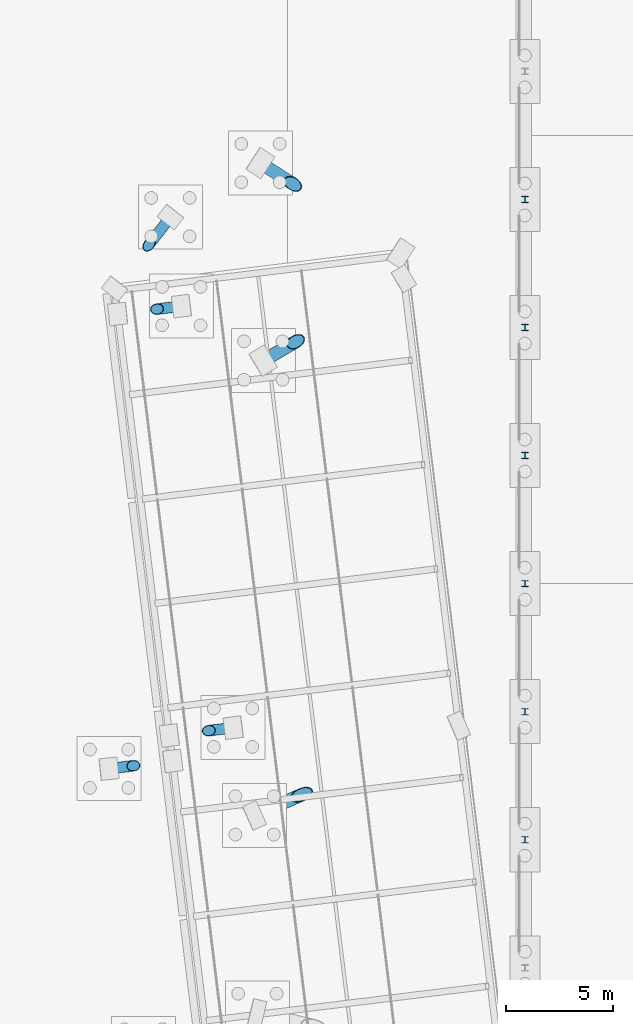
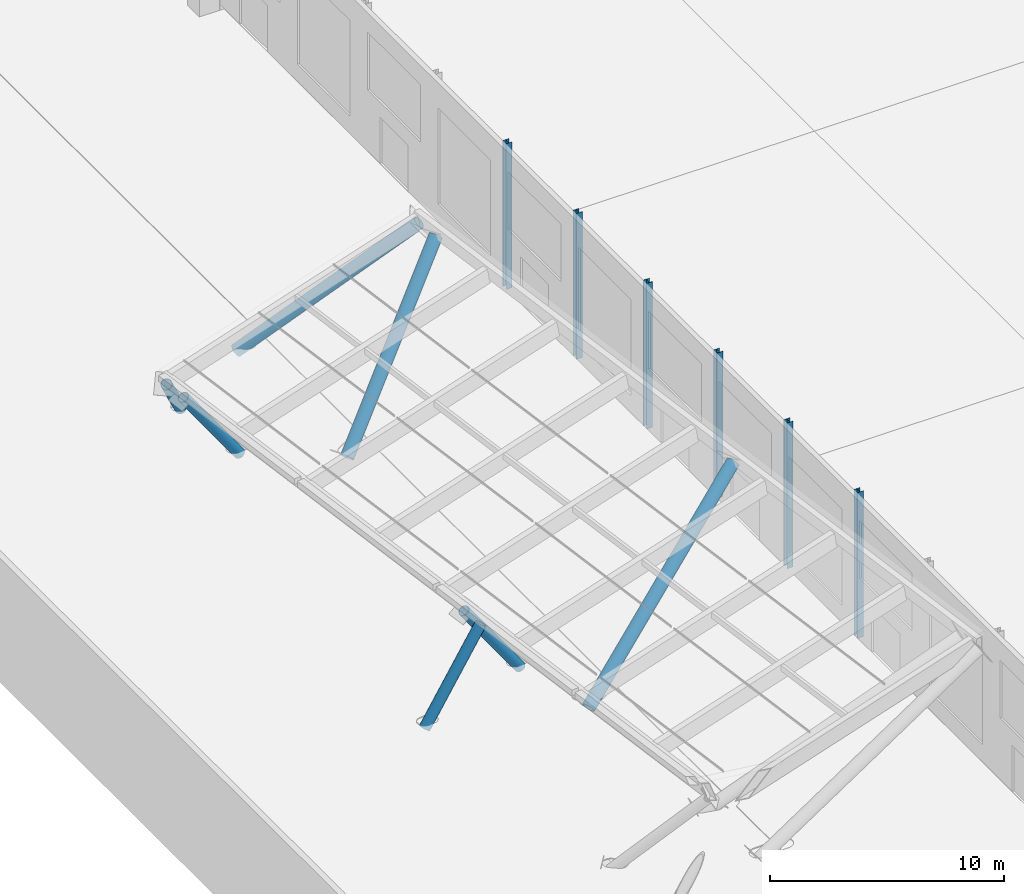
# One storey, part 30 of 239: 13 columns.
"""IFC4 building model written with IfcOpenShell, lengths in metres."""

from ifc_helpers import new_model, si_unit, direction, frame, origin, origin_2d, place, context, subcontext, project, spatial, hollow_circle, i_section, extrude, material, material_profile, profile_set, type_object, element, save


model = new_model("IFC4")

# Units and contexts
model_context = context("Model", 3, precision=1e-05, world=origin(), true_north=direction((0.0, 1.0)))
body_context = subcontext(model_context, "Body", "Model", "MODEL_VIEW")
ifc_project = project(units=[si_unit("LENGTHUNIT", "METRE"), si_unit("AREAUNIT", "SQUARE_METRE"), si_unit("VOLUMEUNIT", "CUBIC_METRE"), si_unit("PLANEANGLEUNIT", "RADIAN"), si_unit("MASSUNIT", "GRAM", prefix="KILO")], contexts=[model_context])

# Site, building, storey
site_placement = place(None, origin())
site = spatial("IfcSite", under=ifc_project, at=site_placement, CompositionType="ELEMENT")
building_placement = place(site_placement, origin())
building = spatial("IfcBuilding", under=site, at=building_placement, Name="Okhra Congress Centre", CompositionType="ELEMENT")
storey_placement = place(building_placement, origin())
storey = spatial("IfcBuildingStorey", under=building, at=storey_placement, Name="L00", CompositionType="ELEMENT", Elevation=0.0)

# Columns
ifc_material_1 = material(Name="Steel S355J2", Category="steel")
ifc_material_profile_1 = material_profile(ifc_material_1, i_section(OverallWidth=0.300048828125, OverallDepth=0.2900390625, WebThickness=0.008544921875, FlangeThickness=0.013916015625, at=origin_2d()), Name="HE 300 A")
ifc_profile_set_1 = profile_set([ifc_material_profile_1], Name="Steel S355J2")
column_type_1 = type_object("IfcColumnType", Name="HE 300 A", PredefinedType="COLUMN", material=ifc_profile_set_1)
for number, where, z_axis, x_axis, name in (
    (1, (29.125, 162.0, -0.39990234375), (0.0, 0.0, 1.0), (1.0, 0.0, 0.0), "EH.COL.L00.WP23"),
    (2, (29.125, 168.0, -0.39990234375), (0.0, 0.0, 1.0), (1.0, 0.0, 0.0), "EH.COL.L00.WP25"),
    (3, (29.125, 174.0, -0.39990234375), (0.0, 0.0, 1.0), (1.0, 0.0, 0.0), "EH.COL.L00.WP27"),
    (4, (29.125, 180.0, -0.39990234375), (0.0, 0.0, 1.0), (1.0, 0.0, 0.0), "EH.COL.L00.WP29"),
    (5, (29.125, 186.0, -0.39990234375), (0.0, 0.0, 1.0), (1.0, 0.0, 0.0), "EH.COL.L00.WP31"),
    (6, (29.125, 192.0, -0.39990234375), (0.0, 0.0, 1.0), (1.0, 0.0, 0.0), "EH.COL.L00.WP33"),
):
    element("IfcColumn", number, at=place(storey_placement, frame(where, z_axis=z_axis, x_axis=x_axis)), inside=storey, type_object=column_type_1, Name=name, PredefinedType="COLUMN", context=body_context, shape_type="SweptSolid", body=[
        extrude(i_section(OverallWidth=0.300048828125, OverallDepth=0.2900390625, WebThickness=0.008544921875, FlangeThickness=0.013916015625, at=origin_2d()), origin(), (0.0, 0.0, 1.0), 7.599853515625),
    ])
ifc_material_2 = material(Name="Steel S355J2H", Category="steel")
ifc_material_profile_2 = material_profile(ifc_material_2, hollow_circle(Radius=0.25390625, WallThickness=0.02001953125, at=origin_2d()), Name="CHS 508x20")
ifc_profile_set_2 = profile_set([ifc_material_profile_2], Name="Steel S355J2H")
column_type_2 = type_object("IfcColumnType", Name="Raking steel strut CHS 508x20", PredefinedType="COLUMN", material=ifc_profile_set_2)
column_1_placement = place(storey_placement, frame((9.64208984375, 165.328125, -0.39990234375), z_axis=(0.577839477158, 0.070968560858, 0.813059039681), x_axis=(-0.121901146576, 0.992542246186, 0.0)))
element("IfcColumn", 7, at=column_1_placement, inside=storey, type_object=column_type_2, Name="West visor raking strut 3", PredefinedType="COLUMN", context=body_context, shape_type="SweptSolid", body=[
    extrude(hollow_circle(Radius=0.25390625, WallThickness=0.02001953125, at=origin_2d()), origin(), (0.0, 0.0, 1.0), 5.1533203125),
])
for number, where, z_axis, x_axis, name in (
    (8, (15.451171875, 167.25048828125, -0.39990234375), (-0.5778098611, -0.070923365207, 0.813084030518), (0.121830819037, -0.99255088108, 0.0), "West visor raking strut 4"),
    (9, (13.02587890625, 187.002197265625, -0.39990234375), (-0.577807918941, -0.070970503655, 0.813081297546), (0.121910993205, -0.992541036802, 0.0), "West visor raking strut 5"),
):
    element("IfcColumn", number, at=place(storey_placement, frame(where, z_axis=z_axis, x_axis=x_axis)), inside=storey, type_object=column_type_2, Name=name, PredefinedType="COLUMN", context=body_context, shape_type="SweptSolid", body=[
        extrude(hollow_circle(Radius=0.25390625, WallThickness=0.02001953125, at=origin_2d()), origin(), (0.0, 0.0, 1.0), 5.153076171875),
    ])
column_2_placement = place(storey_placement, frame((12.51416015625, 191.1708984375, -0.39990234375), z_axis=(-0.438053944833, -0.560679570104, 0.702671446043), x_axis=(0.78800867011, -0.61566414207, 0.0)))
element("IfcColumn", 10, at=column_2_placement, inside=storey, type_object=column_type_2, Name="West visor raking strut 6", PredefinedType="COLUMN", context=body_context, shape_type="SweptSolid", body=[
    extrude(hollow_circle(Radius=0.25390625, WallThickness=0.02001953125, at=origin_2d()), origin(), (0.0, 0.0, 1.0), 5.962890625),
])
ifc_material_profile_3 = material_profile(ifc_material_2, hollow_circle(Radius=0.304931640625, WallThickness=0.02490234375, at=origin_2d()), Name="CHS 610x25")
ifc_profile_set_3 = profile_set([ifc_material_profile_3], Name="Steel S355J2H")
column_type_3 = type_object("IfcColumnType", Name="Raking steel strut CHS 610x25", PredefinedType="COLUMN", material=ifc_profile_set_3)
column_3_placement = place(storey_placement, frame((16.459228515625, 163.142822265625, -0.39990234375), z_axis=(0.762678796351, 0.334778536448, 0.553393517428), x_axis=(-0.401933635112, 0.915668800913, 0.0)))
element("IfcColumn", 11, at=column_3_placement, inside=storey, type_object=column_type_3, Name="West visor raking strut 9", PredefinedType="COLUMN", context=body_context, shape_type="SweptSolid", body=[
    extrude(hollow_circle(Radius=0.304931640625, WallThickness=0.02490234375, at=origin_2d()), origin(), (0.0, 0.0, 1.0), 12.534423828125),
])
column_4_placement = place(storey_placement, frame((16.865478515625, 184.451171875, -0.39990234375), z_axis=(0.638980743499, 0.371855935073, 0.673369714933), x_axis=(-0.502979795738, 0.864298169082, 0.0)))
element("IfcColumn", 12, at=column_4_placement, inside=storey, type_object=column_type_3, Name="West visor raking strut 10", PredefinedType="COLUMN", context=body_context, shape_type="SweptSolid", body=[
    extrude(hollow_circle(Radius=0.304931640625, WallThickness=0.02490234375, at=origin_2d()), origin(), (0.0, 0.0, 1.0), 10.30126953125),
])
column_5_placement = place(storey_placement, frame((16.73681640625, 193.704345703125, -0.39990234375), z_axis=(0.628450401389, -0.405083950942, 0.664045996663), x_axis=(0.541779369591, 0.840520740188, 0.0)))
element("IfcColumn", 13, at=column_5_placement, inside=storey, type_object=column_type_3, Name="West visor raking strut 11", PredefinedType="COLUMN", context=body_context, shape_type="SweptSolid", body=[
    extrude(hollow_circle(Radius=0.304931640625, WallThickness=0.02490234375, at=origin_2d()), origin(), (0.0, 0.0, 1.0), 10.44580078125),
])

save(model, "model.ifc")
